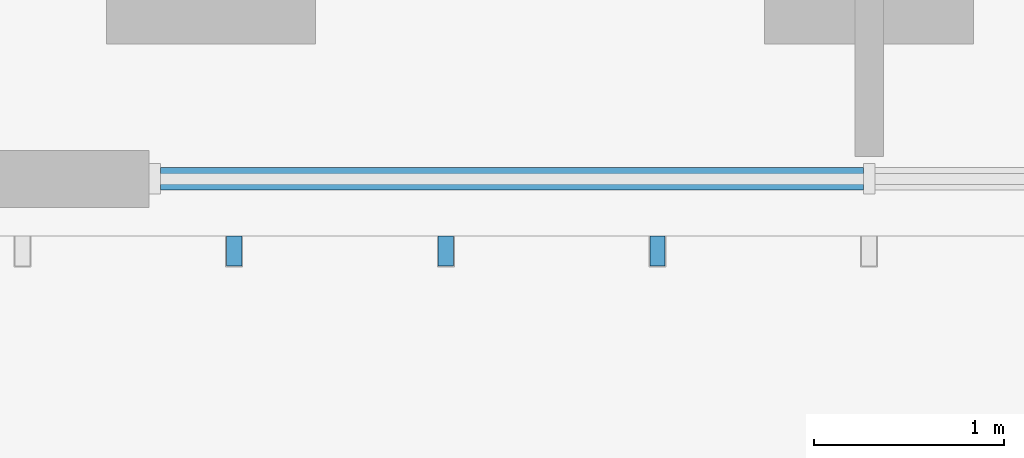
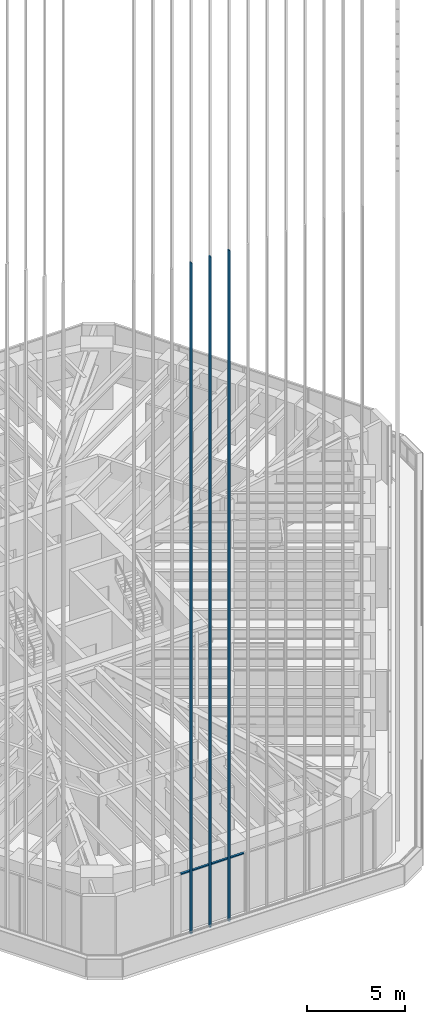
# One storey, part 13 of 127: 4 members, 1 element without a shape of its own.
"""IFC4 building model written with IfcOpenShell, lengths in metres."""

from ifc_helpers import new_model, si_unit, direction, frame, origin, origin_2d, place, context, subcontext, project, spatial, rectangle, extrude, material, material_profile, profile_set, type_object, element, aggregate, save


model = new_model("IFC4")

# Units and contexts
model_context = context("Model", 3, precision=1e-05, world=origin(), true_north=direction((0.0, 1.0)))
body_context = subcontext(model_context, "Body", "Model", "MODEL_VIEW")
ifc_project = project(units=[si_unit("LENGTHUNIT", "METRE"), si_unit("AREAUNIT", "SQUARE_METRE"), si_unit("VOLUMEUNIT", "CUBIC_METRE"), si_unit("PLANEANGLEUNIT", "RADIAN"), si_unit("MASSUNIT", "GRAM", prefix="KILO")], contexts=[model_context])

# Site, building, storey
site_placement = place(None, origin())
site = spatial("IfcSite", under=ifc_project, at=site_placement, CompositionType="ELEMENT")
building_placement = place(site_placement, origin())
building = spatial("IfcBuilding", under=site, at=building_placement, Name="Sandreach Pilgrim Tower", CompositionType="ELEMENT")
storey_placement = place(building_placement, frame((0.0, 0.0, 257.0)))
storey = spatial("IfcBuildingStorey", under=building, at=storey_placement, Name="L64", CompositionType="ELEMENT", Elevation=257.0)

# Curtain wall, members
ifc_material_1 = material(Name="Aluminium framed curtain wall", Category="aluminium")
curtain_wall_type = type_object("IfcCurtainWallType", Name="Suite tower curtain wall", PredefinedType="NOTDEFINED", material=ifc_material_1)
curtain_wall_placement = place(storey_placement, origin())
curtain_wall = element("IfcCurtainWall", 1, at=curtain_wall_placement, inside=storey, type_object=curtain_wall_type, Name="CW-4 L64 SA", PredefinedType="NOTDEFINED")
ifc_material_2 = material(Name="Aluminium extrusion", Category="aluminium")
ifc_material_profile_1 = material_profile(ifc_material_2, rectangle(XDim=0.1201171875, YDim=0.070068359375, at=origin_2d()), Name="CW-4T 120X70")
ifc_profile_set_1 = profile_set([ifc_material_profile_1], Name="Aluminium extrusion")
member_type_1 = type_object("IfcMemberType", Name="CW-4 transom", PredefinedType="USERDEFINED", material=ifc_profile_set_1)
member_1_placement = place(storey_placement, frame((-0.030029296875, -24.858154296875, 3.60498046875), z_axis=(-1.0, 0.0, 0.0), x_axis=(0.0, -1.0, 0.0)))
member_1 = element("IfcMember", 2, at=member_1_placement, type_object=member_type_1, Name="CW-4 head transom 3", ObjectType="TRANSOM", PredefinedType="USERDEFINED", context=body_context, shape_type="SweptSolid", body=[
    extrude(rectangle(XDim=0.1201171875, YDim=0.070068359375, at=origin_2d()), origin(), (0.0, 0.0, 1.0), 3.70166015625),
])
ifc_material_3 = material(Name="Extruded terracotta on aluminium core", Category="masonry")
ifc_material_profile_2 = material_profile(ifc_material_3, rectangle(XDim=0.080078125, YDim=0.159912109375, at=origin_2d()), Name="TBS 80X160")
ifc_profile_set_2 = profile_set([ifc_material_profile_2], Name="Extruded terracotta on aluminium core")
member_type_2 = type_object("IfcMemberType", Name="Terracotta baguette south", PredefinedType="USERDEFINED", material=ifc_profile_set_2)
member_2_placement = place(storey_placement, frame((-1.11474609375, -25.238037109375, 0.0), z_axis=(0.0, 0.0, 1.0), x_axis=(-1.0, 0.0, 0.0)))
member_2 = element("IfcMember", 3, at=member_2_placement, type_object=member_type_2, Name="Baguette Z4 S08", ObjectType="BAGUETTE", PredefinedType="USERDEFINED", context=body_context, shape_type="SweptSolid", body=[
    extrude(rectangle(XDim=0.080078125, YDim=0.159912109375, at=origin_2d()), origin(), (0.0, 0.0, 1.0), 41.639892578125),
])
member_3_placement = place(storey_placement, frame((-2.229248046875, -25.238037109375, 0.0), z_axis=(0.0, 0.0, 1.0), x_axis=(-1.0, 0.0, 0.0)))
member_3 = element("IfcMember", 4, at=member_3_placement, type_object=member_type_2, Name="Baguette Z4 S09", ObjectType="BAGUETTE", PredefinedType="USERDEFINED", context=body_context, shape_type="SweptSolid", body=[
    extrude(rectangle(XDim=0.080078125, YDim=0.159912109375, at=origin_2d()), origin(), (0.0, 0.0, 1.0), 41.639892578125),
])
member_4_placement = place(storey_placement, frame((-3.343994140625, -25.238037109375, 0.0), z_axis=(0.0, 0.0, 1.0), x_axis=(-1.0, 0.0, 0.0)))
member_4 = element("IfcMember", 5, at=member_4_placement, type_object=member_type_2, Name="Baguette Z4 S10", ObjectType="BAGUETTE", PredefinedType="USERDEFINED", context=body_context, shape_type="SweptSolid", body=[
    extrude(rectangle(XDim=0.080078125, YDim=0.159912109375, at=origin_2d()), origin(), (0.0, 0.0, 1.0), 41.639892578125),
])
aggregate(curtain_wall, [member_1, member_2, member_3, member_4])

save(model, "model.ifc")
